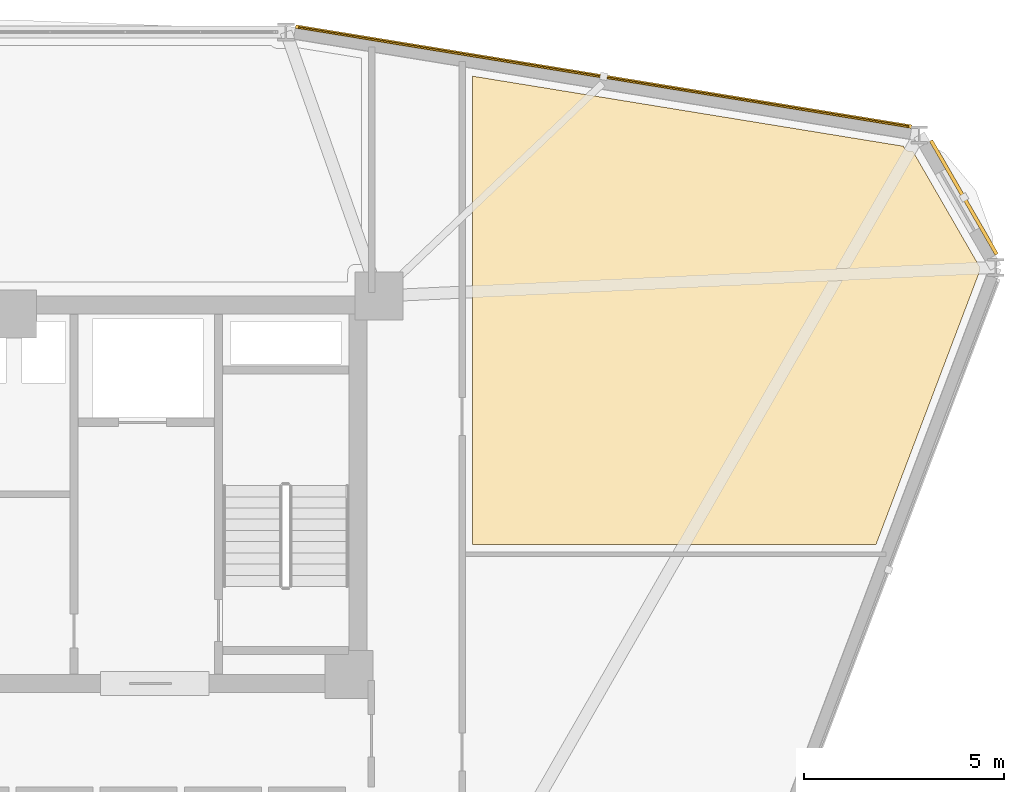
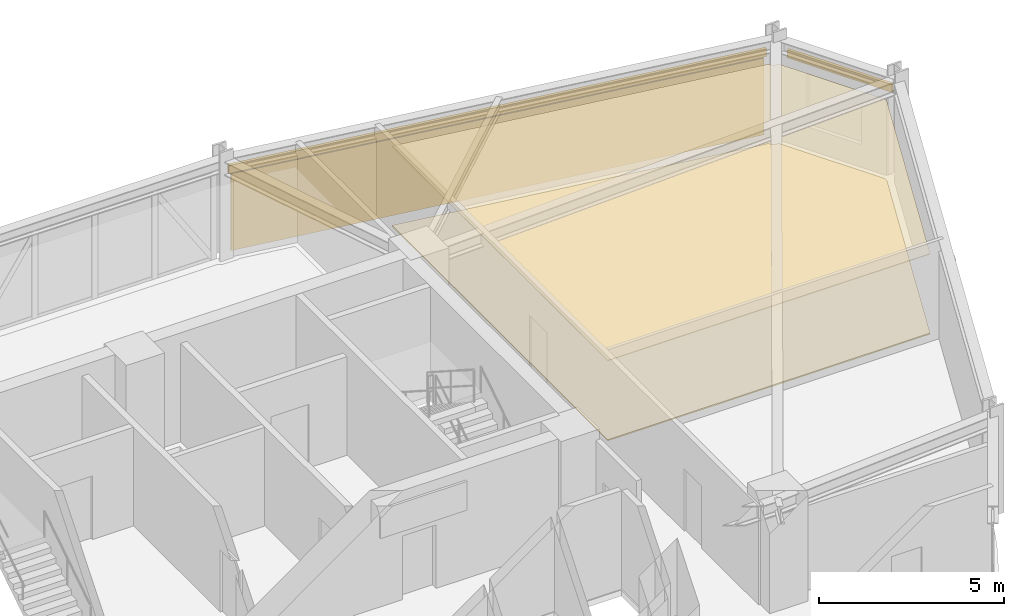
# One storey, part 17 of 17: 3 coverings, 2 shading devices.
"""IFC4 building model written with IfcOpenShell, lengths in metres."""

from ifc_helpers import new_model, si_unit, derived_unit, direction, frame, origin, origin_2d, place, context, subcontext, project, spatial, polyline, hollow_rectangle, outline, extrude, source, transform, mapped, material, layer, layer_set, material_profile, profile_set, type_object, element, save


model = new_model("IFC4")

# Units and contexts
model_context = context("Model", 3, precision=1e-05, world=origin(), true_north=direction((0.0, 1.0)))
body_context = subcontext(model_context, "Body", "Model", "MODEL_VIEW")
ifc_project = project(units=[si_unit("LENGTHUNIT", "METRE"), si_unit("AREAUNIT", "SQUARE_METRE"), si_unit("VOLUMEUNIT", "CUBIC_METRE"), si_unit("PLANEANGLEUNIT", "RADIAN"), si_unit("MASSUNIT", "GRAM", prefix="KILO"), derived_unit("THERMALTRANSMITTANCEUNIT", [(si_unit("POWERUNIT", "WATT"), 1), (si_unit("LENGTHUNIT", "METRE"), -2), (si_unit("THERMODYNAMICTEMPERATUREUNIT", "KELVIN"), -1)])], contexts=[model_context])

# Site, building, storey
site_placement = place(None, origin())
site = spatial("IfcSite", under=ifc_project, at=site_placement, CompositionType="ELEMENT")
building_placement = place(site_placement, origin())
building = spatial("IfcBuilding", under=site, at=building_placement, Name="Korsvarv Bourse and Concert Hall", CompositionType="ELEMENT")
storey_placement = place(building_placement, frame((0.0, 0.0, 127.800048828125)))
storey = spatial("IfcBuildingStorey", under=building, at=storey_placement, Name="L32", CompositionType="ELEMENT", Elevation=127.800048828125)

# Coverings
ifc_material_1 = material(Name="Perforated mineral-wool and birch acoustic baffle ceiling", Category="wood")
ifc_layer_1 = layer(ifc_material_1, 0.02490234375)
ifc_layer_set_1 = layer_set([ifc_layer_1], Name="Perforated mineral-wool and birch acoustic baffle ceiling")
covering_type_1 = type_object("IfcCoveringType", Name="COV-CEIL-1", PredefinedType="CEILING", material=ifc_layer_set_1)
covering_1_placement = place(storey_placement, frame((0.0, 0.0, 2.639892578125)))
element("IfcCovering", 1, at=covering_1_placement, inside=storey, type_object=covering_type_1, Name="L32 acoustic baffle ceiling 1", PredefinedType="CEILING", context=body_context, shape_type="SweptSolid", body=[
    extrude(outline(polyline([(58.242919921875, 50.98974609375), (58.257080078125, 50.956298828125), (58.27783203125, 50.926513671875), (58.303955078125, 50.901611328125), (58.334716796875, 50.882080078125), (58.368408203125, 50.869384765625), (58.404296875, 50.863525390625), (58.478759765625, 50.859375), (60.142822265625, 47.977294921875), (60.142822265625, 47.872802734375), (57.555908203125, 41.050048828125), (47.47998046875, 41.050048828125), (47.47998046875, 52.739990234375), (58.242919921875, 50.98974609375)])), origin(), (0.0, 0.0, 1.0), 0.025146484375),
])
ifc_material_2 = material(Name="Warm iron-oxide extruded terracotta rainscreen tile", Category="ceramic")
ifc_layer_2 = layer(ifc_material_2, 0.044921875)
ifc_layer_set_2 = layer_set([ifc_layer_2], Name="Warm iron-oxide extruded terracotta rainscreen tile")
covering_type_2 = type_object("IfcCoveringType", Name="COV-CLD-TC", PredefinedType="CLADDING", material=ifc_layer_set_2)
covering_2_placement = place(storey_placement, origin())
element("IfcCovering", 2, at=covering_2_placement, inside=storey, type_object=covering_type_2, Name="L32 fluted terracotta cladding panel EW-L32-B02", PredefinedType="CLADDING", context=body_context, shape_type="SweptSolid", body=[
    extrude(outline(polyline([(58.362548828125, 51.45166015625), (43.141357421875, 53.9267578125), (43.148681640625, 53.97119140625), (58.36962890625, 51.49609375), (58.362548828125, 51.45166015625)])), origin(), (0.0, 0.0, 1.0), 2.5400390625),
])
ifc_material_3 = material(Name="Calcium-sulphate raised access trading floor with Nordic oak top", Category="wood")
ifc_layer_3 = layer(ifc_material_3, 0.0400390625)
ifc_layer_set_3 = layer_set([ifc_layer_3], Name="Calcium-sulphate raised access trading floor with Nordic oak top")
covering_type_3 = type_object("IfcCoveringType", Name="COV-FLOR-1", PredefinedType="FLOORING", material=ifc_layer_set_3)
covering_3_placement = place(storey_placement, origin())
element("IfcCovering", 3, at=covering_3_placement, inside=storey, type_object=covering_type_3, Name="L32 raised access oak floor finish 1", PredefinedType="FLOORING", context=body_context, shape_type="SweptSolid", body=[
    extrude(outline(polyline([(58.242919921875, 50.98974609375), (58.257080078125, 50.956298828125), (58.27783203125, 50.926513671875), (58.303955078125, 50.901611328125), (58.334716796875, 50.882080078125), (58.368408203125, 50.869384765625), (58.404296875, 50.863525390625), (58.478759765625, 50.859375), (60.142822265625, 47.977294921875), (60.142822265625, 47.872802734375), (57.555908203125, 41.050048828125), (47.47998046875, 41.050048828125), (47.47998046875, 52.739990234375), (58.242919921875, 50.98974609375)])), origin(), (0.0, 0.0, 1.0), 0.0400390625),
])

# Shading devices
ifc_material_4 = material(Name="Glazed extruded architectural terracotta", Category="ceramic")
ifc_material_profile = material_profile(ifc_material_4, hollow_rectangle(XDim=0.090087890625, YDim=0.260009765625, WallThickness=0.011962890625, at=origin_2d()), Name="TC-BAG 90x260")
ifc_profile_set = profile_set([ifc_material_profile], Name="Glazed extruded architectural terracotta")
shading_device_type = type_object("IfcShadingDeviceType", Name="SHD-BAG-1", PredefinedType="USERDEFINED", material=ifc_profile_set)
shared_shape_1 = source(origin(), body_context, "Body", "SweptSolid", [
    extrude(hollow_rectangle(XDim=0.090087890625, YDim=0.260009765625, WallThickness=0.011962890625, at=origin_2d()), origin(), (0.0, 0.0, 1.0), 3.279296875),
])
shading_device_1_placement = place(storey_placement, frame((60.56787109375, 48.291015625, 2.699951171875), z_axis=(-0.500014611105, 0.866016967894, 0.0), x_axis=(-0.866016967894, -0.500014611105, 0.0)))
element("IfcShadingDevice", 4, at=shading_device_1_placement, inside=storey, type_object=shading_device_type, Name="L32 terracotta baguette sunshade EW-L32-B01", ObjectType="BAGUETTE", PredefinedType="USERDEFINED", context=body_context, shape_type="MappedRepresentation", body=[
    mapped(shared_shape_1, transform((0.0, 0.0, 0.0), scale=1.0)),
])
shared_shape_2 = source(origin(), body_context, "Body", "SweptSolid", [
    extrude(hollow_rectangle(XDim=0.090087890625, YDim=0.260009765625, WallThickness=0.011962890625, at=origin_2d()), origin(), (0.0, 0.0, 1.0), 15.5810546875),
])
shading_device_2_placement = place(storey_placement, frame((58.447998046875, 51.478271484375, 2.699951171875), z_axis=(-0.987036263752, 0.160497395736, 0.0), x_axis=(-0.160497395736, -0.987036263752, 0.0)))
element("IfcShadingDevice", 5, at=shading_device_2_placement, inside=storey, type_object=shading_device_type, Name="L32 terracotta baguette sunshade EW-L32-B02", ObjectType="BAGUETTE", PredefinedType="USERDEFINED", context=body_context, shape_type="MappedRepresentation", body=[
    mapped(shared_shape_2, transform((0.0, 0.0, 0.0), scale=1.0)),
])

save(model, "model.ifc")
